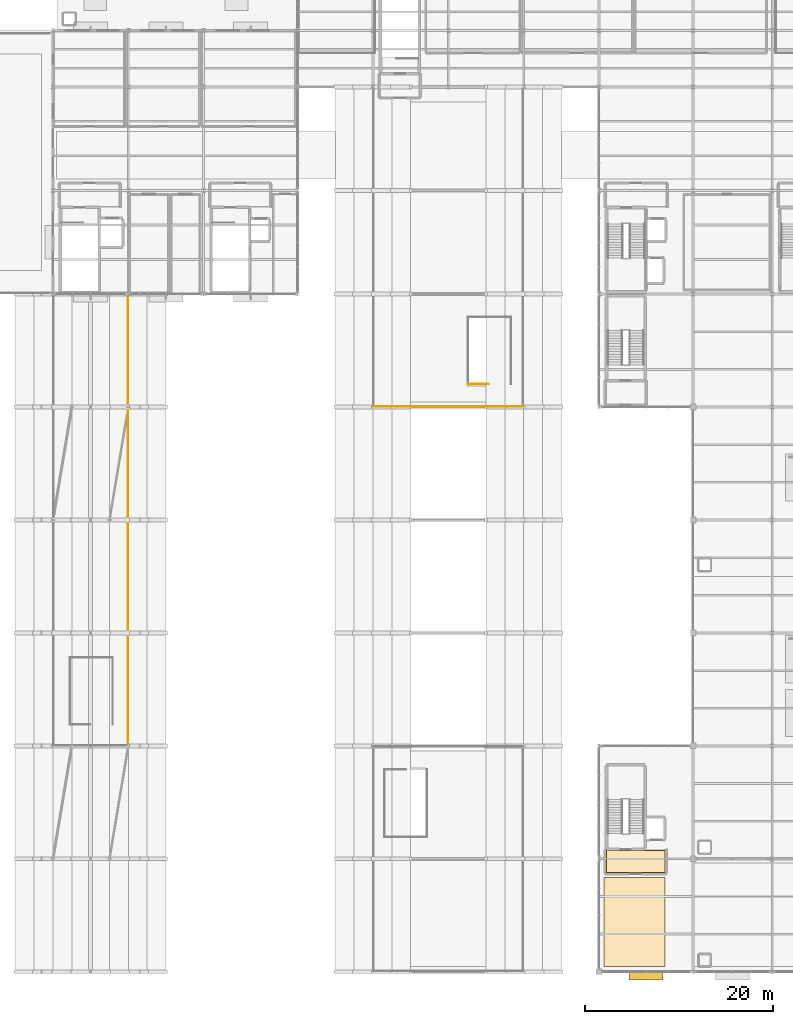
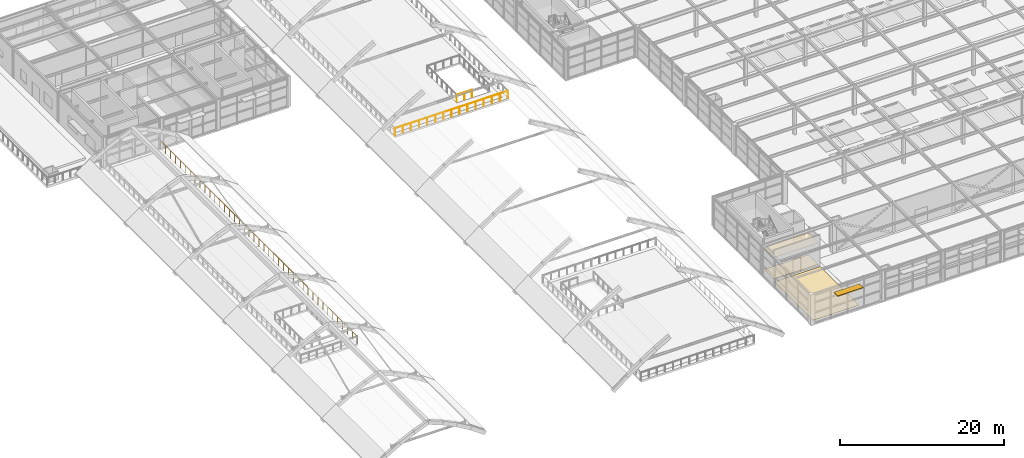
# One storey, part 72 of 82: 3 coverings, 3 railings, 1 shading device.
"""IFC4 building model written with IfcOpenShell, lengths in metres."""

from ifc_helpers import new_model, si_unit, direction, frame, origin, origin_2d, place, context, subcontext, project, spatial, polyline, rectangle, circle, outline, extrude, material, layer, layer_set, type_object, element, save


model = new_model("IFC4")

# Units and contexts
model_context = context("Model", 3, precision=1e-05, world=origin(), true_north=direction((0.0, 1.0)))
body_context = subcontext(model_context, "Body", "Model", "MODEL_VIEW")
ifc_project = project(units=[si_unit("LENGTHUNIT", "METRE"), si_unit("AREAUNIT", "SQUARE_METRE"), si_unit("VOLUMEUNIT", "CUBIC_METRE"), si_unit("PLANEANGLEUNIT", "RADIAN"), si_unit("MASSUNIT", "GRAM", prefix="KILO")], contexts=[model_context])

# Site, building, storey
site_placement = place(None, origin())
site = spatial("IfcSite", under=ifc_project, at=site_placement, CompositionType="ELEMENT")
building_placement = place(site_placement, origin())
building = spatial("IfcBuilding", under=site, at=building_placement, Name="Sitalva Quay Ferry Terminal", CompositionType="ELEMENT")
storey_placement = place(building_placement, frame((0.0, 0.0, 5.39990234375)))
storey = spatial("IfcBuildingStorey", under=building, at=storey_placement, Name="L02", CompositionType="ELEMENT", Elevation=5.39990234375)

# Coverings
ifc_material_1 = material(Name="Moisture-Resistant Acoustic Gypsum Ceiling", Category="gypsum")
ifc_layer_1 = layer(ifc_material_1, 0.02490234375)
ifc_layer_set_1 = layer_set([ifc_layer_1], Name="Moisture-Resistant Acoustic Gypsum Ceiling")
covering_type_1 = type_object("IfcCoveringType", Name="Ceiling_GypsumMoisture_25", PredefinedType="CEILING", material=ifc_layer_set_1)
covering_1_placement = place(storey_placement, frame((0.0, 0.0, 3.22509765625)))
element("IfcCovering", 1, at=covering_1_placement, inside=storey, type_object=covering_type_1, Name="Firefighting & Lift Lobby C6 ceiling", PredefinedType="CEILING", context=body_context, shape_type="SweptSolid", body=[
    extrude(outline(polyline([(74.739990234375, 16.489990234375), (81.06005859375, 16.489990234375), (81.06005859375, 18.9599609375), (74.739990234375, 18.9599609375), (74.739990234375, 16.489990234375)])), origin(), (0.0, 0.0, 1.0), 0.02490234375),
])
ifc_material_2 = material(Name="Flamed Non-Slip Granite Paving", Category="masonry")
ifc_layer_2 = layer(ifc_material_2, 0.034912109375)
ifc_layer_set_2 = layer_set([ifc_layer_2], Name="Flamed Non-Slip Granite Paving")
covering_type_2 = type_object("IfcCoveringType", Name="Finish_Granite_35", PredefinedType="FLOORING", material=ifc_layer_set_2)
covering_2_placement = place(storey_placement, origin())
element("IfcCovering", 2, at=covering_2_placement, inside=storey, type_object=covering_type_2, Name="Firefighting & Lift Lobby C6 floor finish", PredefinedType="FLOORING", context=body_context, shape_type="SweptSolid", body=[
    extrude(outline(polyline([(74.7900390625, 16.5400390625), (81.010009765625, 16.5400390625), (81.010009765625, 18.909912109375), (74.7900390625, 18.909912109375), (74.7900390625, 16.5400390625)])), origin(), (0.0, 0.0, 1.0), 0.03515625),
])
covering_3_placement = place(storey_placement, origin())
element("IfcCovering", 3, at=covering_3_placement, inside=storey, type_object=covering_type_2, Name="Upper South Promenade Prow Concourse flooring", PredefinedType="FLOORING", context=body_context, shape_type="SweptSolid", body=[
    extrude(outline(polyline([(74.550048828125, 6.550048828125), (81.0, 6.550048828125), (81.0, 16.0), (74.550048828125, 16.0), (74.550048828125, 6.550048828125)])), origin(), (0.0, 0.0, 1.0), 0.03515625),
])

# Railings
ifc_material_3 = material(Name="Stainless Steel 316L & Laminated Glass", Category="steel")
railing_type = type_object("IfcRailingType", Name="Railing_Balustrade_1120", PredefinedType="BALUSTRADE", material=ifc_material_3)
railing_1_placement = place(storey_placement, frame((23.949951171875, 30.050048828125, 0.0)))
element("IfcRailing", 4, at=railing_1_placement, inside=storey, type_object=railing_type, Name="L02 V2 arrivals gallery guard 009", PredefinedType="BALUSTRADE", context=body_context, shape_type="SweptSolid", body=[
    extrude(circle(Radius=0.02392578125, at=origin_2d()), frame((0.0, 0.0, 1.09619140625), z_axis=(0.0, 1.0, 0.0), x_axis=(-1.0, 0.0, 0.0)), (0.0, 0.0, 1.0), 47.89990234375),
    extrude(circle(Radius=0.02099609375, at=origin_2d()), origin(), (0.0, 0.0, 1.0), 1.072021484375),
    extrude(circle(Radius=0.02099609375, at=origin_2d()), frame((0.0, 1.197509765625, 0.0)), (0.0, 0.0, 1.0), 1.072021484375),
    extrude(circle(Radius=0.02099609375, at=origin_2d()), frame((0.0, 2.39501953125, 0.0)), (0.0, 0.0, 1.0), 1.072021484375),
    extrude(circle(Radius=0.02099609375, at=origin_2d()), frame((0.0, 3.592529296875, 0.0)), (0.0, 0.0, 1.0), 1.072021484375),
    extrude(circle(Radius=0.02099609375, at=origin_2d()), frame((0.0, 4.7900390625, 0.0)), (0.0, 0.0, 1.0), 1.072021484375),
    extrude(circle(Radius=0.02099609375, at=origin_2d()), frame((0.0, 5.987548828125, 0.0)), (0.0, 0.0, 1.0), 1.072021484375),
    extrude(circle(Radius=0.02099609375, at=origin_2d()), frame((0.0, 7.18505859375, 0.0)), (0.0, 0.0, 1.0), 1.072021484375),
    extrude(circle(Radius=0.02099609375, at=origin_2d()), frame((0.0, 8.382568359375, 0.0)), (0.0, 0.0, 1.0), 1.072021484375),
    extrude(circle(Radius=0.02099609375, at=origin_2d()), frame((0.0, 9.580078125, 0.0)), (0.0, 0.0, 1.0), 1.072021484375),
    extrude(circle(Radius=0.02099609375, at=origin_2d()), frame((0.0, 10.777587890625, 0.0)), (0.0, 0.0, 1.0), 1.072021484375),
    extrude(circle(Radius=0.02099609375, at=origin_2d()), frame((0.0, 11.97509765625, 0.0)), (0.0, 0.0, 1.0), 1.072021484375),
    extrude(circle(Radius=0.02099609375, at=origin_2d()), frame((0.0, 13.17236328125, 0.0)), (0.0, 0.0, 1.0), 1.072021484375),
    extrude(circle(Radius=0.02099609375, at=origin_2d()), frame((0.0, 14.369873046875, 0.0)), (0.0, 0.0, 1.0), 1.072021484375),
    extrude(circle(Radius=0.02099609375, at=origin_2d()), frame((0.0, 15.5673828125, 0.0)), (0.0, 0.0, 1.0), 1.072021484375),
    extrude(circle(Radius=0.02099609375, at=origin_2d()), frame((0.0, 16.764892578125, 0.0)), (0.0, 0.0, 1.0), 1.072021484375),
    extrude(circle(Radius=0.02099609375, at=origin_2d()), frame((0.0, 17.96240234375, 0.0)), (0.0, 0.0, 1.0), 1.072021484375),
    extrude(circle(Radius=0.02099609375, at=origin_2d()), frame((0.0, 19.159912109375, 0.0)), (0.0, 0.0, 1.0), 1.072021484375),
    extrude(circle(Radius=0.02099609375, at=origin_2d()), frame((0.0, 20.357421875, 0.0)), (0.0, 0.0, 1.0), 1.072021484375),
    extrude(circle(Radius=0.02099609375, at=origin_2d()), frame((0.0, 21.554931640625, 0.0)), (0.0, 0.0, 1.0), 1.072021484375),
    extrude(circle(Radius=0.02099609375, at=origin_2d()), frame((0.0, 22.75244140625, 0.0)), (0.0, 0.0, 1.0), 1.072021484375),
    extrude(circle(Radius=0.02099609375, at=origin_2d()), frame((0.0, 23.949951171875, 0.0)), (0.0, 0.0, 1.0), 1.072021484375),
    extrude(circle(Radius=0.02099609375, at=origin_2d()), frame((0.0, 25.1474609375, 0.0)), (0.0, 0.0, 1.0), 1.072021484375),
    extrude(circle(Radius=0.02099609375, at=origin_2d()), frame((0.0, 26.344970703125, 0.0)), (0.0, 0.0, 1.0), 1.072021484375),
    extrude(circle(Radius=0.02099609375, at=origin_2d()), frame((0.0, 27.54248046875, 0.0)), (0.0, 0.0, 1.0), 1.072021484375),
    extrude(circle(Radius=0.02099609375, at=origin_2d()), frame((0.0, 28.739990234375, 0.0)), (0.0, 0.0, 1.0), 1.072021484375),
    extrude(circle(Radius=0.02099609375, at=origin_2d()), frame((0.0, 29.9375, 0.0)), (0.0, 0.0, 1.0), 1.072021484375),
    extrude(circle(Radius=0.02099609375, at=origin_2d()), frame((0.0, 31.135009765625, 0.0)), (0.0, 0.0, 1.0), 1.072021484375),
    extrude(circle(Radius=0.02099609375, at=origin_2d()), frame((0.0, 32.33251953125, 0.0)), (0.0, 0.0, 1.0), 1.072021484375),
    extrude(circle(Radius=0.02099609375, at=origin_2d()), frame((0.0, 33.530029296875, 0.0)), (0.0, 0.0, 1.0), 1.072021484375),
    extrude(circle(Radius=0.02099609375, at=origin_2d()), frame((0.0, 34.7275390625, 0.0)), (0.0, 0.0, 1.0), 1.072021484375),
    extrude(circle(Radius=0.02099609375, at=origin_2d()), frame((0.0, 35.9248046875, 0.0)), (0.0, 0.0, 1.0), 1.072021484375),
    extrude(circle(Radius=0.02099609375, at=origin_2d()), frame((0.0, 37.122314453125, 0.0)), (0.0, 0.0, 1.0), 1.072021484375),
    extrude(circle(Radius=0.02099609375, at=origin_2d()), frame((0.0, 38.31982421875, 0.0)), (0.0, 0.0, 1.0), 1.072021484375),
    extrude(circle(Radius=0.02099609375, at=origin_2d()), frame((0.0, 39.517333984375, 0.0)), (0.0, 0.0, 1.0), 1.072021484375),
    extrude(circle(Radius=0.02099609375, at=origin_2d()), frame((0.0, 40.71484375, 0.0)), (0.0, 0.0, 1.0), 1.072021484375),
    extrude(circle(Radius=0.02099609375, at=origin_2d()), frame((0.0, 41.912353515625, 0.0)), (0.0, 0.0, 1.0), 1.072021484375),
    extrude(circle(Radius=0.02099609375, at=origin_2d()), frame((0.0, 43.10986328125, 0.0)), (0.0, 0.0, 1.0), 1.072021484375),
    extrude(circle(Radius=0.02099609375, at=origin_2d()), frame((0.0, 44.307373046875, 0.0)), (0.0, 0.0, 1.0), 1.072021484375),
    extrude(circle(Radius=0.02099609375, at=origin_2d()), frame((0.0, 45.5048828125, 0.0)), (0.0, 0.0, 1.0), 1.072021484375),
    extrude(circle(Radius=0.02099609375, at=origin_2d()), frame((0.0, 46.702392578125, 0.0)), (0.0, 0.0, 1.0), 1.072021484375),
    extrude(circle(Radius=0.02099609375, at=origin_2d()), frame((0.0, 47.89990234375, 0.0)), (0.0, 0.0, 1.0), 1.072021484375),
])
railing_2_placement = place(storey_placement, frame((50.050048828125, 66.050048828125, 0.0)))
element("IfcRailing", 5, at=railing_2_placement, inside=storey, type_object=railing_type, Name="L02 V1 north gallery guard 023", PredefinedType="BALUSTRADE", context=body_context, shape_type="SweptSolid", body=[
    extrude(circle(Radius=0.02392578125, at=origin_2d()), frame((0.0, 0.0, 1.09619140625), z_axis=(1.0, 0.0, 0.0), x_axis=(0.0, 1.0, 0.0)), (0.0, 0.0, 1.0), 15.89990234375),
    extrude(circle(Radius=0.02099609375, at=origin_2d()), origin(), (0.0, 0.0, 1.0), 1.072021484375),
    extrude(circle(Radius=0.02099609375, at=origin_2d()), frame((1.1357421875, 0.0, 0.0)), (0.0, 0.0, 1.0), 1.072021484375),
    extrude(circle(Radius=0.02099609375, at=origin_2d()), frame((2.271484375, 0.0, 0.0)), (0.0, 0.0, 1.0), 1.072021484375),
    extrude(circle(Radius=0.02099609375, at=origin_2d()), frame((3.4072265625, 0.0, 0.0)), (0.0, 0.0, 1.0), 1.072021484375),
    extrude(circle(Radius=0.02099609375, at=origin_2d()), frame((4.542724609375, 0.0, 0.0)), (0.0, 0.0, 1.0), 1.072021484375),
    extrude(circle(Radius=0.02099609375, at=origin_2d()), frame((5.678466796875, 0.0, 0.0)), (0.0, 0.0, 1.0), 1.072021484375),
    extrude(circle(Radius=0.02099609375, at=origin_2d()), frame((6.814208984375, 0.0, 0.0)), (0.0, 0.0, 1.0), 1.072021484375),
    extrude(circle(Radius=0.02099609375, at=origin_2d()), frame((7.949951171875, 0.0, 0.0)), (0.0, 0.0, 1.0), 1.072021484375),
    extrude(circle(Radius=0.02099609375, at=origin_2d()), frame((9.085693359375, 0.0, 0.0)), (0.0, 0.0, 1.0), 1.072021484375),
    extrude(circle(Radius=0.02099609375, at=origin_2d()), frame((10.221435546875, 0.0, 0.0)), (0.0, 0.0, 1.0), 1.072021484375),
    extrude(circle(Radius=0.02099609375, at=origin_2d()), frame((11.357177734375, 0.0, 0.0)), (0.0, 0.0, 1.0), 1.072021484375),
    extrude(circle(Radius=0.02099609375, at=origin_2d()), frame((12.49267578125, 0.0, 0.0)), (0.0, 0.0, 1.0), 1.072021484375),
    extrude(circle(Radius=0.02099609375, at=origin_2d()), frame((13.62841796875, 0.0, 0.0)), (0.0, 0.0, 1.0), 1.072021484375),
    extrude(circle(Radius=0.02099609375, at=origin_2d()), frame((14.76416015625, 0.0, 0.0)), (0.0, 0.0, 1.0), 1.072021484375),
    extrude(circle(Radius=0.02099609375, at=origin_2d()), frame((15.89990234375, 0.0, 0.0)), (0.0, 0.0, 1.0), 1.072021484375),
])
railing_3_placement = place(storey_placement, frame((62.25, 68.419921875, 0.0)))
element("IfcRailing", 6, at=railing_3_placement, inside=storey, type_object=railing_type, Name="L02 ST-12 stair-well guard 025", PredefinedType="BALUSTRADE", context=body_context, shape_type="SweptSolid", body=[
    extrude(circle(Radius=0.02392578125, at=origin_2d()), frame((0.0, 0.0, 1.09619140625), z_axis=(-1.0, 0.0, 0.0), x_axis=(0.0, -1.0, 0.0)), (0.0, 0.0, 1.0), 2.14990234375),
    extrude(circle(Radius=0.02099609375, at=origin_2d()), origin(), (0.0, 0.0, 1.0), 1.072021484375),
    extrude(circle(Radius=0.02099609375, at=origin_2d()), frame((-1.074951171875, 0.0, 0.0)), (0.0, 0.0, 1.0), 1.072021484375),
    extrude(circle(Radius=0.02099609375, at=origin_2d()), frame((-2.14990234375, 0.0, 0.0)), (0.0, 0.0, 1.0), 1.072021484375),
])

# Shading device
ifc_material_4 = material(Name="Anodised Marine Aluminium 6063-T6", Category="aluminium")
shading_device_type = type_object("IfcShadingDeviceType", Name="Shade_HorizontalLouvre_900", PredefinedType="USERDEFINED", material=ifc_material_4)
shading_device_placement = place(storey_placement, frame((79.0, 5.580078125, 3.507568359375), z_axis=(0.0, 0.0, 1.0), x_axis=(1.0, 0.0, 0.0)))
element("IfcShadingDevice", 7, at=shading_device_placement, inside=storey, type_object=shading_device_type, Name="Monsoon sunshade canopy BS-002", ObjectType="SUNSHADE", PredefinedType="USERDEFINED", context=body_context, shape_type="SweptSolid", body=[
    extrude(rectangle(XDim=3.60009765625, YDim=0.89990234375, at=origin_2d()), origin(), (0.0, 0.0, 1.0), 0.0849609375),
])

save(model, "model.ifc")
